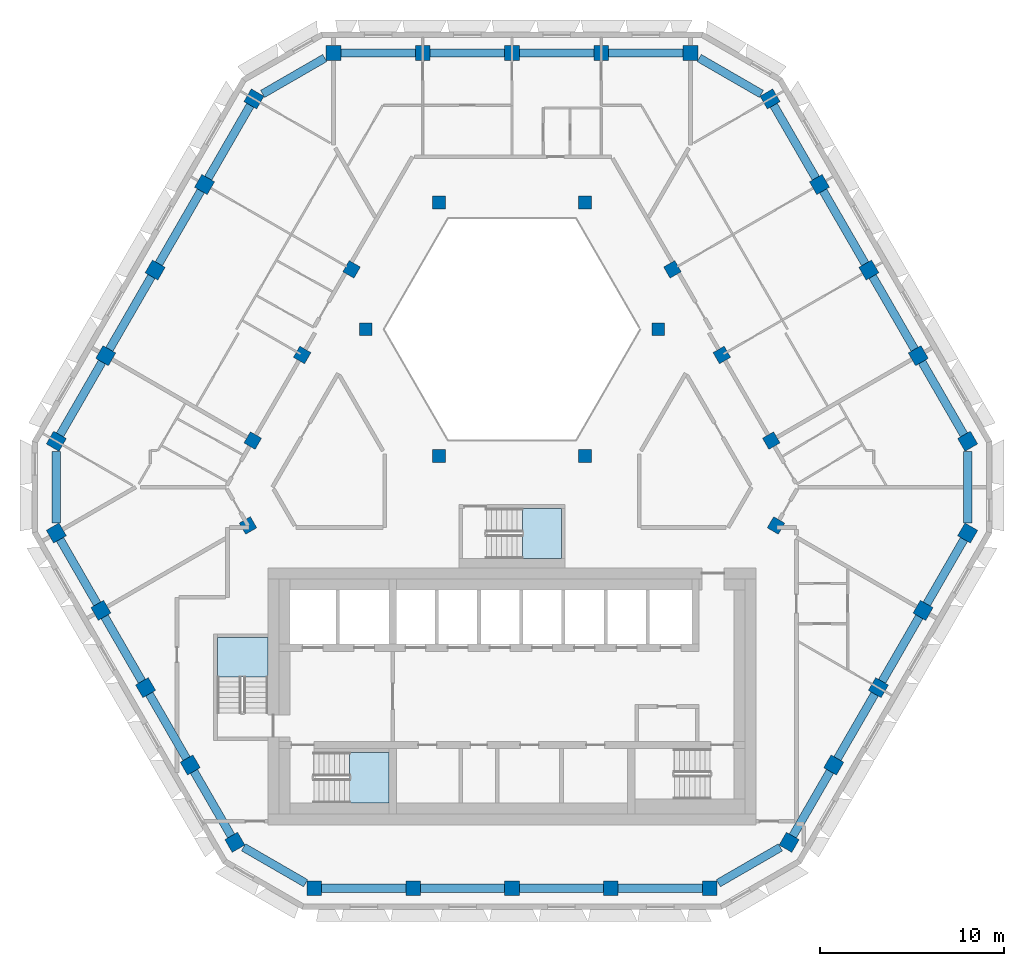
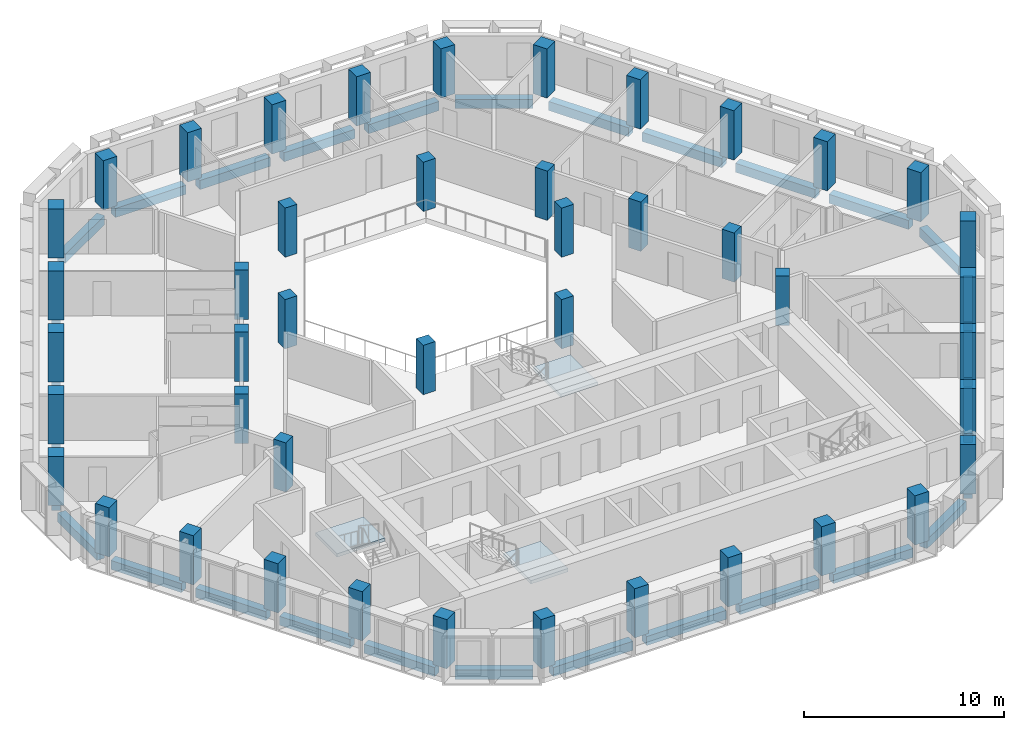
# One storey, part 1 of 15: 44 columns, 30 beams, 3 slabs, 3 elements without a shape of their own.
"""IFC4 building model written with IfcOpenShell, lengths in metres."""

import ifcopenshell
import ifcopenshell.guid

model = None  # the IFC model being written
_history = None  # IfcOwnerHistory: only IFC2X3 demands one
_inside = {}  # id of a spatial element -> (the spatial element, [elements in it])
_under = {}  # id of a project, library or spatial element -> (it, [spatial elements below it])
_declared = {}  # id of a project -> (the project, [libraries it declares])
_typed = {}  # id of a type object -> (the type object, [elements of that type])
_made_of = {}  # id of a material, layer set ... -> (it, [elements and type objects made of it])


def new_model(schema):
    """Start an empty IFC model of exactly this schema.

    Asked for "IFC4X3", IfcOpenShell would pick the latest addendum, in which some entities
    have other attributes; the version numbers below select the first issue.
    IFC2X3 requires an IfcOwnerHistory on every rooted entity: one is made here for all.
    """
    global model, _history
    if schema == "IFC4X3":
        model = ifcopenshell.file(schema_version=(4, 3, 0, 0))
    else:
        model = ifcopenshell.file(schema=schema)
    _inside.clear()
    _under.clear()
    _declared.clear()
    _typed.clear()
    _made_of.clear()
    _history = None
    if model.schema == "IFC2X3":
        org = make("IfcOrganization", Name="unknown")
        user = make(
            "IfcPersonAndOrganization",
            ThePerson=make("IfcPerson", FamilyName="unknown"),
            TheOrganization=org,
        )
        app = make(
            "IfcApplication",
            ApplicationDeveloper=org,
            Version="unknown",
            ApplicationFullName="unknown",
            ApplicationIdentifier="unknown",
        )
        _history = make(
            "IfcOwnerHistory",
            OwningUser=user,
            OwningApplication=app,
            ChangeAction="ADDED",
            CreationDate=0,
        )
    return model


def make(cls, **values):
    """One entity of the class cls with the attributes given. An attribute that is None is left unset."""
    return model.create_entity(
        cls, **{name: value for name, value in values.items() if value is not None}
    )


def rooted(cls, **values):
    """An entity with a GlobalId (a new one), such as an element, a storey or a relation."""
    return make(cls, GlobalId=ifcopenshell.guid.new(), OwnerHistory=_history, **values)


def si_unit(unit_type, name, prefix=None):
    """IfcSIUnit, for example si_unit("LENGTHUNIT", "METRE", prefix="MILLI")."""
    return make("IfcSIUnit", UnitType=unit_type, Prefix=prefix, Name=name)


def assignment(units):
    """IfcUnitAssignment: the units of a project."""
    return None if units is None else make("IfcUnitAssignment", Units=units)


def point(xyz):
    """IfcCartesianPoint."""
    return None if xyz is None else make("IfcCartesianPoint", Coordinates=xyz)


def direction(xyz):
    """IfcDirection."""
    return None if xyz is None else make("IfcDirection", DirectionRatios=xyz)


def frame(location, z_axis=None, x_axis=None):
    """IfcAxis2Placement3D, a coordinate frame: its origin and axes. An axis left out is left unset."""
    return make(
        "IfcAxis2Placement3D",
        Location=point(location),
        Axis=direction(z_axis),
        RefDirection=direction(x_axis),
    )


def frame_2d(location, x_axis=None):
    """IfcAxis2Placement2D, a coordinate frame in the plane: its origin and x axis."""
    return make(
        "IfcAxis2Placement2D", Location=point(location), RefDirection=direction(x_axis)
    )


def origin():
    """The frame at (0, 0, 0) with its axes left unset."""
    return frame((0.0, 0.0, 0.0))


def origin_2d():
    """The frame at (0, 0) in the plane with its x axis left unset."""
    return frame_2d((0.0, 0.0))


def place(relative_to, where):
    """IfcLocalPlacement: puts the frame where relative to a parent placement (None: the world)."""
    return make(
        "IfcLocalPlacement", PlacementRelTo=relative_to, RelativePlacement=where
    )


def context(
    kind, dimensions, precision=None, world=None, true_north=None, identifier=None
):
    """IfcGeometricRepresentationContext, for example the 3D "Model" context."""
    return make(
        "IfcGeometricRepresentationContext",
        ContextIdentifier=identifier,
        ContextType=kind,
        CoordinateSpaceDimension=dimensions,
        Precision=precision,
        WorldCoordinateSystem=world,
        TrueNorth=true_north,
    )


def subcontext(parent, identifier, kind, view, scale=None):
    """IfcGeometricRepresentationSubContext, for example "Body" below "Model"."""
    return make(
        "IfcGeometricRepresentationSubContext",
        ContextIdentifier=identifier,
        ContextType=kind,
        ParentContext=parent,
        TargetScale=scale,
        TargetView=view,
    )


def project(units=None, contexts=None):
    """IfcProject with its units and contexts."""
    return rooted(
        "IfcProject",
        Name="project",
        RepresentationContexts=contexts,
        UnitsInContext=assignment(units),
    )


def spatial(cls, under=None, at=None, **own):
    """A site, building, storey or space (cls), placed at a placement, below another one or the project."""
    s = rooted(cls, ObjectPlacement=at, **own)
    if under is not None:
        _under.setdefault(under.id(), (under, []))[1].append(s)
    return s


def polyline(points):
    """IfcPolyline through the points."""
    return make("IfcPolyline", Points=[point(p) for p in points])


def profile(cls, at=None, kind="AREA", **sizes):
    """A parametric profile (cls). Its sizes go by their IFC names, for example OverallWidth=200.0."""
    return make(cls, ProfileType=kind, Position=at, **sizes)


def rectangle(**sizes):
    """IfcRectangleProfileDef."""
    return profile("IfcRectangleProfileDef", **sizes)


def outline(outer, holes=None, kind="AREA"):
    """IfcArbitraryClosedProfileDef: a profile drawn as a closed curve; with holes, ...WithVoids."""
    if holes is None:
        return make("IfcArbitraryClosedProfileDef", ProfileType=kind, OuterCurve=outer)
    return make(
        "IfcArbitraryProfileDefWithVoids",
        ProfileType=kind,
        OuterCurve=outer,
        InnerCurves=holes,
    )


def extrude(swept, where, along, depth):
    """IfcExtrudedAreaSolid: the profile swept, set in the frame where, extruded along a direction by depth."""
    return make(
        "IfcExtrudedAreaSolid",
        SweptArea=swept,
        Position=where,
        ExtrudedDirection=direction(along),
        Depth=depth,
    )


def shape(context_of_items, identifier, shape_type, items):
    """IfcShapeRepresentation: the items that make up one representation, for example the "Body"."""
    return make(
        "IfcShapeRepresentation",
        ContextOfItems=context_of_items,
        RepresentationIdentifier=identifier,
        RepresentationType=shape_type,
        Items=items,
    )


def material(Name=None, Category=None):
    """IfcMaterial."""
    return make("IfcMaterial", Name=Name, Category=Category)


def layer(
    of_material, thickness, ventilated=None, Name=None, Category=None, Priority=None
):
    """IfcMaterialLayer: one layer of a wall or slab, of a material (None: an air gap)."""
    return make(
        "IfcMaterialLayer",
        Material=of_material,
        LayerThickness=thickness,
        IsVentilated=ventilated,
        Name=Name,
        Category=Category,
        Priority=Priority,
    )


def layer_set(layers, Name=None):
    """IfcMaterialLayerSet."""
    return make("IfcMaterialLayerSet", MaterialLayers=layers, LayerSetName=Name)


def material_profile(
    of_material, cross_section, Name=None, Category=None, Priority=None
):
    """IfcMaterialProfile: a cross section and its material."""
    return make(
        "IfcMaterialProfile",
        Name=Name,
        Material=of_material,
        Profile=cross_section,
        Priority=Priority,
        Category=Category,
    )


def profile_set(profiles, Name=None, composite=None):
    """IfcMaterialProfileSet."""
    return make(
        "IfcMaterialProfileSet",
        Name=Name,
        MaterialProfiles=profiles,
        CompositeProfile=composite,
    )


def made_of(thing, what):
    """Note that an element or type object is made of a material, layer set ...; save() writes the relation."""
    if what is not None:
        _made_of.setdefault(what.id(), (what, []))[1].append(thing)
    return thing


def type_object(cls, material=None, **own):
    """A type object (cls), such as IfcWallType, which elements share."""
    return made_of(rooted(cls, **own), material)


def element(
    cls,
    number,
    at=None,
    inside=None,
    cuts=None,
    type_object=None,
    material=None,
    context=None,
    identifier="Body",
    shape_type=None,
    held_by="IfcProductDefinitionShape",
    body=None,
    shapes=None,
    **own,
):
    """One element of the class cls, such as IfcWall. Its Tag is "e" and its number.

    at: its placement. inside: the storey or other place that contains it. cuts: it is an
    opening in that element (IfcRelVoidsElement). A single representation is given by context,
    identifier, shape_type and body (its items); several are given by shapes. held_by: the class
    of the entity that holds the representations. save() writes the other relations.
    """
    e = rooted(cls, Tag="e%d" % number, ObjectPlacement=at, **own)
    if body is not None:
        shapes = [shape(context, identifier, shape_type, body)]
    if shapes is not None:
        e.Representation = make(held_by, Representations=shapes)
    if inside is not None:
        _inside.setdefault(inside.id(), (inside, []))[1].append(e)
    if cuts is not None:
        rooted(
            "IfcRelVoidsElement", RelatingBuildingElement=cuts, RelatedOpeningElement=e
        )
    if type_object is not None:
        _typed.setdefault(type_object.id(), (type_object, []))[1].append(e)
    return made_of(e, material)


def aggregate(whole, parts):
    """IfcRelAggregates: a whole, such as a stair, and the parts it consists of."""
    return rooted("IfcRelAggregates", RelatingObject=whole, RelatedObjects=parts)


def save(model, path):
    """Write the relations noted so far, then the file.

    IfcRelAggregates (storeys below a building ...), IfcRelContainedInSpatialStructure (elements
    in a storey), IfcRelDefinesByType, IfcRelAssociatesMaterial and IfcRelDeclares: one each for
    every whole, place, type object, material and project.
    """
    for whole, parts in _under.values():
        aggregate(whole, parts)
    for where, things in _inside.values():
        rooted(
            "IfcRelContainedInSpatialStructure",
            RelatedElements=things,
            RelatingStructure=where,
        )
    for kind, things in _typed.values():
        rooted("IfcRelDefinesByType", RelatedObjects=things, RelatingType=kind)
    for what, things in _made_of.values():
        rooted("IfcRelAssociatesMaterial", RelatedObjects=things, RelatingMaterial=what)
    for by, libraries in _declared.values():
        rooted("IfcRelDeclares", RelatingContext=by, RelatedDefinitions=libraries)
    model.write(path)


model = new_model("IFC4")

# Units and contexts
model_context = context("Model", 3, precision=1e-05, world=origin(), true_north=direction((0.0, 1.0)))
body_context = subcontext(model_context, "Body", "Model", "MODEL_VIEW")
ifc_project = project(units=[si_unit("LENGTHUNIT", "METRE"), si_unit("AREAUNIT", "SQUARE_METRE"), si_unit("VOLUMEUNIT", "CUBIC_METRE"), si_unit("PLANEANGLEUNIT", "RADIAN"), si_unit("MASSUNIT", "GRAM", prefix="KILO")], contexts=[model_context])

# Site, building, storey
site_placement = place(None, origin())
site = spatial("IfcSite", under=ifc_project, at=site_placement, CompositionType="ELEMENT")
building_placement = place(site_placement, origin())
building = spatial("IfcBuilding", under=site, at=building_placement, Name="Beryl Residences", CompositionType="ELEMENT")
storey_placement = place(building_placement, frame((0.0, 0.0, 193.199951171875)))
storey = spatial("IfcBuildingStorey", under=building, at=storey_placement, Name="L59", CompositionType="ELEMENT", Elevation=193.199951171875)

# Columns
ifc_material_1 = material(Name="Concrete C50/60", Category="concrete")
ifc_material_profile_1 = material_profile(ifc_material_1, rectangle(XDim=0.800048828125, YDim=0.800048828125, at=origin_2d()))
ifc_profile_set_1 = profile_set([ifc_material_profile_1], Name="Concrete C50/60")
column_type_1 = type_object("IfcColumnType", Name="C4 tube column 800 x 800 C50/60", PredefinedType="COLUMN", material=ifc_profile_set_1)
for number, where, z_axis, x_axis, name in (
    (1, (9.72802734375, 23.050048828125, 0.0), (0.0, 0.0, 1.0), (-1.0, 0.0, 0.0), "C4-N1 L59"),
    (2, (4.864013671875, 23.050048828125, 0.0), (0.0, 0.0, 1.0), (-1.0, 0.0, 0.0), "C4-N2 L59"),
    (3, (0.0, 23.050048828125, 0.0), (0.0, 0.0, 1.0), (-1.0, 0.0, 0.0), "C4-N3 L59"),
    (4, (-4.864013671875, 23.050048828125, 0.0), (0.0, 0.0, 1.0), (-1.0, 0.0, 0.0), "C4-N4 L59"),
    (5, (-9.72802734375, 23.050048828125, 0.0), (0.0, 0.0, 1.0), (-1.0, 0.0, 0.0), "C4-N5 L59"),
    (6, (-14.05810546875, 20.550048828125, 0.0), (0.0, 0.0, 1.0), (-0.5, -0.866025403784, 0.0), "C4-NW1 L59"),
    (7, (-16.75, 15.887939453125, 0.0), (0.0, 0.0, 1.0), (-0.5, -0.866025403784, 0.0), "C4-NW2 L59"),
    (8, (-19.44189453125, 11.22509765625, 0.0), (0.0, 0.0, 1.0), (-0.5, -0.866025403784, 0.0), "C4-NW3 L59"),
    (9, (-22.134033203125, 6.56201171875, 0.0), (0.0, 0.0, 1.0), (-0.5, -0.866025403784, 0.0), "C4-NW4 L59"),
    (10, (-24.825927734375, 1.89990234375, 0.0), (0.0, 0.0, 1.0), (-0.5, -0.866025403784, 0.0), "C4-NW5 L59"),
    (11, (-24.825927734375, -3.09912109375, 0.0), (0.0, 0.0, 1.0), (0.5, -0.866025403784, 0.0), "C4-SW1 L59"),
    (12, (-22.39404296875, -7.31201171875, 0.0), (0.0, 0.0, 1.0), (0.5, -0.866025403784, 0.0), "C4-SW2 L59"),
    (13, (-19.9619140625, -11.52392578125, 0.0), (0.0, 0.0, 1.0), (0.5, -0.866025403784, 0.0), "C4-SW3 L59"),
    (14, (-17.530029296875, -15.736083984375, 0.0), (0.0, 0.0, 1.0), (0.5, -0.866025403784, 0.0), "C4-SW4 L59"),
    (15, (-15.097900390625, -19.948974609375, 0.0), (0.0, 0.0, 1.0), (0.5, -0.866025403784, 0.0), "C4-SW5 L59"),
    (16, (-10.76708984375, -22.449951171875, 0.0), (0.0, 0.0, 1.0), (1.0, 0.0, 0.0), "C4-S1 L59"),
    (17, (-5.383056640625, -22.449951171875, 0.0), (0.0, 0.0, 1.0), (1.0, 0.0, 0.0), "C4-S2 L59"),
    (18, (0.0009765625, -22.449951171875, 0.0), (0.0, 0.0, 1.0), (1.0, 0.0, 0.0), "C4-S3 L59"),
    (19, (5.385009765625, -22.449951171875, 0.0), (0.0, 0.0, 1.0), (1.0, 0.0, 0.0), "C4-S4 L59"),
    (20, (10.76904296875, -22.449951171875, 0.0), (0.0, 0.0, 1.0), (1.0, 0.0, 0.0), "C4-S5 L59"),
    (21, (15.096923828125, -19.950927734375, 0.0), (0.0, 0.0, 1.0), (0.5, 0.866025403784, 0.0), "C4-SE1 L59"),
    (22, (17.529052734375, -15.738037109375, 0.0), (0.0, 0.0, 1.0), (0.5, 0.866025403784, 0.0), "C4-SE2 L59"),
    (23, (19.9609375, -11.52587890625, 0.0), (0.0, 0.0, 1.0), (0.5, 0.866025403784, 0.0), "C4-SE3 L59"),
    (24, (22.39306640625, -7.31396484375, 0.0), (0.0, 0.0, 1.0), (0.5, 0.866025403784, 0.0), "C4-SE4 L59"),
    (25, (24.824951171875, -3.10107421875, 0.0), (0.0, 0.0, 1.0), (0.5, 0.866025403784, 0.0), "C4-SE5 L59"),
    (26, (24.825927734375, 1.89990234375, 0.0), (0.0, 0.0, 1.0), (-0.5, 0.866025403784, 0.0), "C4-NE1 L59"),
    (27, (22.134033203125, 6.56201171875, 0.0), (0.0, 0.0, 1.0), (-0.5, 0.866025403784, 0.0), "C4-NE2 L59"),
    (28, (19.44189453125, 11.22509765625, 0.0), (0.0, 0.0, 1.0), (-0.5, 0.866025403784, 0.0), "C4-NE3 L59"),
    (29, (16.75, 15.887939453125, 0.0), (0.0, 0.0, 1.0), (-0.5, 0.866025403784, 0.0), "C4-NE4 L59"),
    (30, (14.05810546875, 20.550048828125, 0.0), (0.0, 0.0, 1.0), (-0.5, 0.866025403784, 0.0), "C4-NE5 L59"),
):
    element("IfcColumn", number, at=place(storey_placement, frame(where, z_axis=z_axis, x_axis=x_axis)), inside=storey, type_object=column_type_1, Name=name, PredefinedType="COLUMN", context=body_context, shape_type="SweptSolid", body=[
        extrude(rectangle(XDim=0.800048828125, YDim=0.800048828125, at=origin_2d()), origin(), (0.0, 0.0, 1.0), 3.0),
    ])
ifc_material_2 = material(Name="Concrete C50/60", Category="concrete")
ifc_material_profile_2 = material_profile(ifc_material_2, rectangle(XDim=0.699951171875, YDim=0.699951171875, at=origin_2d()))
ifc_profile_set_2 = profile_set([ifc_material_profile_2], Name="Concrete C50/60")
column_type_2 = type_object("IfcColumnType", Name="IC4 interior column 700 x 700 C50/60", PredefinedType="COLUMN", material=ifc_profile_set_2)
for number, where, z_axis, x_axis, name in (
    (31, (-14.383056640625, -2.68701171875, 0.0), (0.0, 0.0, 1.0), (0.5, -0.866025403784, 0.0), "IC4-M01 L59"),
    (32, (14.382080078125, -2.68896484375, 0.0), (0.0, 0.0, 1.0), (0.5, 0.866025403784, 0.0), "IC4-M02 L59"),
    (33, (14.123046875, 1.93701171875, 0.0), (0.0, 0.0, 1.0), (-0.5, 0.866025403784, 0.0), "IC4-M03 L59"),
    (34, (3.98388671875, 1.10009765625, 0.0), (0.0, 0.0, 1.0), (1.0, 0.0, 0.0), "IC4-A04 L59"),
    (35, (11.430908203125, 6.60009765625, 0.0), (0.0, 0.0, 1.0), (-0.5, 0.866025403784, 0.0), "IC4-M05 L59"),
    (36, (7.967041015625, 8.0, 0.0), (0.0, 0.0, 1.0), (1.0, 0.0, 0.0), "IC4-A06 L59"),
    (37, (8.739013671875, 11.262939453125, 0.0), (0.0, 0.0, 1.0), (-0.5, 0.866025403784, 0.0), "IC4-M07 L59"),
    (38, (3.98388671875, 14.89990234375, 0.0), (0.0, 0.0, 1.0), (1.0, 0.0, 0.0), "IC4-A08 L59"),
    (39, (-3.98388671875, 14.89990234375, 0.0), (0.0, 0.0, 1.0), (1.0, 0.0, 0.0), "IC4-A09 L59"),
    (40, (-8.739013671875, 11.262939453125, 0.0), (0.0, 0.0, 1.0), (-0.5, -0.866025403784, 0.0), "IC4-M10 L59"),
    (41, (-7.967041015625, 8.0, 0.0), (0.0, 0.0, 1.0), (1.0, 0.0, 0.0), "IC4-A11 L59"),
    (42, (-11.430908203125, 6.60009765625, 0.0), (0.0, 0.0, 1.0), (-0.5, -0.866025403784, 0.0), "IC4-M12 L59"),
    (43, (-3.98388671875, 1.10009765625, 0.0), (0.0, 0.0, 1.0), (1.0, 0.0, 0.0), "IC4-A13 L59"),
    (44, (-14.123046875, 1.93701171875, 0.0), (0.0, 0.0, 1.0), (-0.5, -0.866025403784, 0.0), "IC4-M14 L59"),
):
    element("IfcColumn", number, at=place(storey_placement, frame(where, z_axis=z_axis, x_axis=x_axis)), inside=storey, type_object=column_type_2, Name=name, PredefinedType="COLUMN", context=body_context, shape_type="SweptSolid", body=[
        extrude(rectangle(XDim=0.699951171875, YDim=0.699951171875, at=origin_2d()), origin(), (0.0, 0.0, 1.0), 3.0),
    ])

# Beams
ifc_material_3 = material(Name="Concrete C50/60", Category="concrete")
ifc_material_profile_3 = material_profile(ifc_material_3, rectangle(XDim=0.449951171875, YDim=0.550048828125, at=origin_2d()))
ifc_profile_set_3 = profile_set([ifc_material_profile_3], Name="Concrete C50/60")
beam_type = type_object("IfcBeamType", Name="SB4 spandrel beam 450 x 550 C50/60", PredefinedType="SPANDREL", material=ifc_profile_set_3)
beam_1_placement = place(storey_placement, frame((9.327880859375, 23.050048828125, -0.574951171875), z_axis=(-1.0, 0.0, 0.0), x_axis=(0.0, -1.0, 0.0)))
element("IfcBeam", 45, at=beam_1_placement, inside=storey, type_object=beam_type, Name="SB4 L59 N-0", PredefinedType="SPANDREL", context=body_context, shape_type="SweptSolid", body=[
    extrude(rectangle(XDim=0.449951171875, YDim=0.550048828125, at=origin_2d()), origin(), (0.0, 0.0, 1.0), 4.06396484375),
])
for number, where, z_axis, x_axis, name in (
    (46, (4.464111328125, 23.050048828125, -0.574951171875), (-1.0, 0.0, 0.0), (0.0, -1.0, 0.0), "SB4 L59 N-1"),
    (47, (-0.39990234375, 23.050048828125, -0.574951171875), (-1.0, 0.0, 0.0), (0.0, -1.0, 0.0), "SB4 L59 N-2"),
):
    element("IfcBeam", number, at=place(storey_placement, frame(where, z_axis=z_axis, x_axis=x_axis)), inside=storey, type_object=beam_type, Name=name, PredefinedType="SPANDREL", context=body_context, shape_type="SweptSolid", body=[
        extrude(rectangle(XDim=0.449951171875, YDim=0.550048828125, at=origin_2d()), origin(), (0.0, 0.0, 1.0), 4.064208984375),
    ])
beam_2_placement = place(storey_placement, frame((-5.263916015625, 23.050048828125, -0.574951171875), z_axis=(-1.0, 0.0, 0.0), x_axis=(0.0, -1.0, 0.0)))
element("IfcBeam", 48, at=beam_2_placement, inside=storey, type_object=beam_type, Name="SB4 L59 N-3", PredefinedType="SPANDREL", context=body_context, shape_type="SweptSolid", body=[
    extrude(rectangle(XDim=0.449951171875, YDim=0.550048828125, at=origin_2d()), origin(), (0.0, 0.0, 1.0), 4.06396484375),
])
beam_3_placement = place(storey_placement, frame((-10.200927734375, 22.777099609375, -0.574951171875), z_axis=(-0.865988935984, -0.500063158763, 0.0), x_axis=(0.500063158763, -0.865988935984, 0.0)))
element("IfcBeam", 49, at=beam_3_placement, inside=storey, type_object=beam_type, Name="SB4 L59 N-4", PredefinedType="SPANDREL", context=body_context, shape_type="SweptSolid", body=[
    extrude(rectangle(XDim=0.449951171875, YDim=0.550048828125, at=origin_2d()), origin(), (0.0, 0.0, 1.0), 3.90771484375),
])
beam_4_placement = place(storey_placement, frame((-14.258056640625, 20.2041015625, -0.574951171875), z_axis=(-0.499965247104, -0.866045467449, 0.0), x_axis=(0.866045467449, -0.499965247104, 0.0)))
element("IfcBeam", 50, at=beam_4_placement, inside=storey, type_object=beam_type, Name="SB4 L59 NW-0", PredefinedType="SPANDREL", context=body_context, shape_type="SweptSolid", body=[
    extrude(rectangle(XDim=0.449951171875, YDim=0.550048828125, at=origin_2d()), origin(), (0.0, 0.0, 1.0), 4.584228515625),
])
for number, where, z_axis, x_axis, name in (
    (51, (-16.949951171875, 15.5419921875, -0.574951171875), (-0.499896077001, -0.866085395443, 0.0), (0.866085395443, -0.499896077001, 0.0), "SB4 L59 NW-1"),
    (52, (-19.64208984375, 10.87890625, -0.574951171875), (-0.499896077001, -0.866085395443, 0.0), (0.866085395443, -0.499896077001, 0.0), "SB4 L59 NW-2"),
):
    element("IfcBeam", number, at=place(storey_placement, frame(where, z_axis=z_axis, x_axis=x_axis)), inside=storey, type_object=beam_type, Name=name, PredefinedType="SPANDREL", context=body_context, shape_type="SweptSolid", body=[
        extrude(rectangle(XDim=0.449951171875, YDim=0.550048828125, at=origin_2d()), origin(), (0.0, 0.0, 1.0), 4.5849609375),
    ])
beam_5_placement = place(storey_placement, frame((-22.333984375, 6.216064453125, -0.574951171875), z_axis=(-0.49998830735, -0.866032154434, 0.0), x_axis=(0.866032154434, -0.49998830735, 0.0)))
element("IfcBeam", 53, at=beam_5_placement, inside=storey, type_object=beam_type, Name="SB4 L59 NW-3", PredefinedType="SPANDREL", context=body_context, shape_type="SweptSolid", body=[
    extrude(rectangle(XDim=0.449951171875, YDim=0.550048828125, at=origin_2d()), origin(), (0.0, 0.0, 1.0), 4.583984375),
])
beam_6_placement = place(storey_placement, frame((-24.825927734375, 1.35400390625, -0.574951171875), z_axis=(0.0, -1.0, 0.0), x_axis=(1.0, 0.0, 0.0)))
element("IfcBeam", 54, at=beam_6_placement, inside=storey, type_object=beam_type, Name="SB4 L59 NW-4", PredefinedType="SPANDREL", context=body_context, shape_type="SweptSolid", body=[
    extrude(rectangle(XDim=0.449951171875, YDim=0.550048828125, at=origin_2d()), origin(), (0.0, 0.0, 1.0), 3.906982421875),
])
beam_7_placement = place(storey_placement, frame((-24.6259765625, -3.445068359375, -0.574951171875), z_axis=(0.499840293234, -0.866117590896, 0.0), x_axis=(0.866117590896, 0.499840293234, 0.0)))
element("IfcBeam", 55, at=beam_7_placement, inside=storey, type_object=beam_type, Name="SB4 L59 SW-0", PredefinedType="SPANDREL", context=body_context, shape_type="SweptSolid", body=[
    extrude(rectangle(XDim=0.449951171875, YDim=0.550048828125, at=origin_2d()), origin(), (0.0, 0.0, 1.0), 4.065185546875),
])
beam_8_placement = place(storey_placement, frame((-22.194091796875, -7.657958984375, -0.574951171875), z_axis=(0.499944307952, -0.866057555216, 0.0), x_axis=(0.866057555216, 0.499944307952, 0.0)))
element("IfcBeam", 56, at=beam_8_placement, inside=storey, type_object=beam_type, Name="SB4 L59 SW-1", PredefinedType="SPANDREL", context=body_context, shape_type="SweptSolid", body=[
    extrude(rectangle(XDim=0.449951171875, YDim=0.550048828125, at=origin_2d()), origin(), (0.0, 0.0, 1.0), 4.064453125),
])
beam_9_placement = place(storey_placement, frame((-19.761962890625, -11.8701171875, -0.574951171875), z_axis=(0.499970317269, -0.866042540439, 0.0), x_axis=(0.866042540439, 0.499970317269, 0.0)))
element("IfcBeam", 57, at=beam_9_placement, inside=storey, type_object=beam_type, Name="SB4 L59 SW-2", PredefinedType="SPANDREL", context=body_context, shape_type="SweptSolid", body=[
    extrude(rectangle(XDim=0.449951171875, YDim=0.550048828125, at=origin_2d()), origin(), (0.0, 0.0, 1.0), 4.064208984375),
])
beam_10_placement = place(storey_placement, frame((-17.330078125, -16.08203125, -0.574951171875), z_axis=(0.499840293234, -0.866117590896, 0.0), x_axis=(0.866117590896, 0.499840293234, 0.0)))
element("IfcBeam", 58, at=beam_10_placement, inside=storey, type_object=beam_type, Name="SB4 L59 SW-3", PredefinedType="SPANDREL", context=body_context, shape_type="SweptSolid", body=[
    extrude(rectangle(XDim=0.449951171875, YDim=0.550048828125, at=origin_2d()), origin(), (0.0, 0.0, 1.0), 4.065185546875),
])
beam_11_placement = place(storey_placement, frame((-14.625, -20.221923828125, -0.574951171875), z_axis=(0.865943218558, -0.500142321977, 0.0), x_axis=(0.500142321977, 0.865943218558, 0.0)))
element("IfcBeam", 59, at=beam_11_placement, inside=storey, type_object=beam_type, Name="SB4 L59 SW-4", PredefinedType="SPANDREL", context=body_context, shape_type="SweptSolid", body=[
    extrude(rectangle(XDim=0.449951171875, YDim=0.550048828125, at=origin_2d()), origin(), (0.0, 0.0, 1.0), 3.908935546875),
])
for number, where, z_axis, x_axis, name in (
    (60, (-10.366943359375, -22.449951171875, -0.574951171875), (1.0, 0.0, 0.0), (0.0, 1.0, 0.0), "SB4 L59 S-0"),
    (61, (-4.98291015625, -22.449951171875, -0.574951171875), (1.0, 0.0, 0.0), (0.0, 1.0, 0.0), "SB4 L59 S-1"),
):
    element("IfcBeam", number, at=place(storey_placement, frame(where, z_axis=z_axis, x_axis=x_axis)), inside=storey, type_object=beam_type, Name=name, PredefinedType="SPANDREL", context=body_context, shape_type="SweptSolid", body=[
        extrude(rectangle(XDim=0.449951171875, YDim=0.550048828125, at=origin_2d()), origin(), (0.0, 0.0, 1.0), 4.583984375),
    ])
beam_12_placement = place(storey_placement, frame((0.40087890625, -22.449951171875, -0.574951171875), z_axis=(1.0, 0.0, 0.0), x_axis=(0.0, 1.0, 0.0)))
element("IfcBeam", 62, at=beam_12_placement, inside=storey, type_object=beam_type, Name="SB4 L59 S-2", PredefinedType="SPANDREL", context=body_context, shape_type="SweptSolid", body=[
    extrude(rectangle(XDim=0.449951171875, YDim=0.550048828125, at=origin_2d()), origin(), (0.0, 0.0, 1.0), 4.584228515625),
])
beam_13_placement = place(storey_placement, frame((5.784912109375, -22.449951171875, -0.574951171875), z_axis=(1.0, 0.0, 0.0), x_axis=(0.0, 1.0, 0.0)))
element("IfcBeam", 63, at=beam_13_placement, inside=storey, type_object=beam_type, Name="SB4 L59 S-3", PredefinedType="SPANDREL", context=body_context, shape_type="SweptSolid", body=[
    extrude(rectangle(XDim=0.449951171875, YDim=0.550048828125, at=origin_2d()), origin(), (0.0, 0.0, 1.0), 4.583984375),
])
beam_14_placement = place(storey_placement, frame((11.241943359375, -22.177001953125, -0.574951171875), z_axis=(0.865999234303, 0.500045324131, 0.0), x_axis=(-0.500045324131, 0.865999234303, 0.0)))
element("IfcBeam", 64, at=beam_14_placement, inside=storey, type_object=beam_type, Name="SB4 L59 S-4", PredefinedType="SPANDREL", context=body_context, shape_type="SweptSolid", body=[
    extrude(rectangle(XDim=0.449951171875, YDim=0.550048828125, at=origin_2d()), origin(), (0.0, 0.0, 1.0), 3.905517578125),
])
beam_15_placement = place(storey_placement, frame((15.297119140625, -19.60498046875, -0.574951171875), z_axis=(0.499840293234, 0.866117590896, 0.0), x_axis=(-0.866117590896, 0.499840293234, 0.0)))
element("IfcBeam", 65, at=beam_15_placement, inside=storey, type_object=beam_type, Name="SB4 L59 SE-0", PredefinedType="SPANDREL", context=body_context, shape_type="SweptSolid", body=[
    extrude(rectangle(XDim=0.449951171875, YDim=0.550048828125, at=origin_2d()), origin(), (0.0, 0.0, 1.0), 4.065185546875),
])
for number, where, z_axis, x_axis, name in (
    (66, (17.72900390625, -15.39208984375, -0.574951171875), (0.499944307952, 0.866057555216, 0.0), (-0.866057555216, 0.499944307952, 0.0), "SB4 L59 SE-1"),
    (67, (20.160888671875, -11.179931640625, -0.574951171875), (0.499989360119, 0.866031546636, 0.0), (-0.866031546636, 0.499989360119, 0.0), "SB4 L59 SE-2"),
):
    element("IfcBeam", number, at=place(storey_placement, frame(where, z_axis=z_axis, x_axis=x_axis)), inside=storey, type_object=beam_type, Name=name, PredefinedType="SPANDREL", context=body_context, shape_type="SweptSolid", body=[
        extrude(rectangle(XDim=0.449951171875, YDim=0.550048828125, at=origin_2d()), origin(), (0.0, 0.0, 1.0), 4.064453125),
    ])
beam_16_placement = place(storey_placement, frame((22.593017578125, -6.968017578125, -0.574951171875), z_axis=(0.499840293234, 0.866117590896, 0.0), x_axis=(-0.866117590896, 0.499840293234, 0.0)))
element("IfcBeam", 68, at=beam_16_placement, inside=storey, type_object=beam_type, Name="SB4 L59 SE-3", PredefinedType="SPANDREL", context=body_context, shape_type="SweptSolid", body=[
    extrude(rectangle(XDim=0.449951171875, YDim=0.550048828125, at=origin_2d()), origin(), (0.0, 0.0, 1.0), 4.065185546875),
])
beam_17_placement = place(storey_placement, frame((24.824951171875, -2.554931640625, -0.574951171875), z_axis=(0.000249828235, 0.999999968793, 0.0), x_axis=(-0.999999968793, 0.000249828235, 0.0)))
element("IfcBeam", 69, at=beam_17_placement, inside=storey, type_object=beam_type, Name="SB4 L59 SE-4", PredefinedType="SPANDREL", context=body_context, shape_type="SweptSolid", body=[
    extrude(rectangle(XDim=0.449951171875, YDim=0.550048828125, at=origin_2d()), origin(), (0.0, 0.0, 1.0), 3.908935546875),
])
beam_18_placement = place(storey_placement, frame((24.6259765625, 2.24609375, -0.574951171875), z_axis=(-0.49998830735, 0.866032154434, 0.0), x_axis=(-0.866032154434, -0.49998830735, 0.0)))
element("IfcBeam", 70, at=beam_18_placement, inside=storey, type_object=beam_type, Name="SB4 L59 NE-0", PredefinedType="SPANDREL", context=body_context, shape_type="SweptSolid", body=[
    extrude(rectangle(XDim=0.449951171875, YDim=0.550048828125, at=origin_2d()), origin(), (0.0, 0.0, 1.0), 4.583984375),
])
for number, where, z_axis, x_axis, name in (
    (71, (21.93408203125, 6.907958984375, -0.574951171875), (-0.499896077001, 0.866085395443, 0.0), (-0.866085395443, -0.499896077001, 0.0), "SB4 L59 NE-1"),
    (72, (19.241943359375, 11.571044921875, -0.574951171875), (-0.499896077001, 0.866085395443, 0.0), (-0.866085395443, -0.499896077001, 0.0), "SB4 L59 NE-2"),
):
    element("IfcBeam", number, at=place(storey_placement, frame(where, z_axis=z_axis, x_axis=x_axis)), inside=storey, type_object=beam_type, Name=name, PredefinedType="SPANDREL", context=body_context, shape_type="SweptSolid", body=[
        extrude(rectangle(XDim=0.449951171875, YDim=0.550048828125, at=origin_2d()), origin(), (0.0, 0.0, 1.0), 4.5849609375),
    ])
beam_19_placement = place(storey_placement, frame((16.550048828125, 16.23388671875, -0.574951171875), z_axis=(-0.499965247104, 0.866045467449, 0.0), x_axis=(-0.866045467449, -0.499965247104, 0.0)))
element("IfcBeam", 73, at=beam_19_placement, inside=storey, type_object=beam_type, Name="SB4 L59 NE-3", PredefinedType="SPANDREL", context=body_context, shape_type="SweptSolid", body=[
    extrude(rectangle(XDim=0.449951171875, YDim=0.550048828125, at=origin_2d()), origin(), (0.0, 0.0, 1.0), 4.584228515625),
])
beam_20_placement = place(storey_placement, frame((13.5849609375, 20.822998046875, -0.574951171875), z_axis=(-0.865988935984, 0.500063158763, 0.0), x_axis=(-0.500063158763, -0.865988935984, 0.0)))
element("IfcBeam", 74, at=beam_20_placement, inside=storey, type_object=beam_type, Name="SB4 L59 NE-4", PredefinedType="SPANDREL", context=body_context, shape_type="SweptSolid", body=[
    extrude(rectangle(XDim=0.449951171875, YDim=0.550048828125, at=origin_2d()), origin(), (0.0, 0.0, 1.0), 3.90771484375),
])

# Stair, slab
ifc_material_4 = material(Name="Concrete C40/50", Category="concrete")
stair_type = type_object("IfcStairType", Name="ST1 protected exit stair, half-turn, 1300 mm flights", PredefinedType="HALF_TURN_STAIR", material=ifc_material_4)
stair_1_placement = place(storey_placement, origin())
stair_1 = element("IfcStair", 75, at=stair_1_placement, inside=storey, type_object=stair_type, Name="L59 PROTECTED EXIT STAIR ST-1", PredefinedType="HALF_TURN_STAIR")
ifc_material_5 = material(Name="Concrete C40/50", Category="concrete")
ifc_layer = layer(ifc_material_5, 0.199951171875)
ifc_layer_set = layer_set([ifc_layer], Name="SLD1 stair landing 200 mm")
slab_type = type_object("IfcSlabType", Name="SLD1 stair landing 200 mm", PredefinedType="LANDING", material=ifc_layer_set)
slab_1_placement = place(storey_placement, frame((0.0, 0.0, 1.300048828125)))
slab_1 = element("IfcSlab", 76, at=slab_1_placement, type_object=slab_type, Name="ST-1 landing 1", PredefinedType="LANDING", context=body_context, shape_type="SweptSolid", body=[
    extrude(outline(polyline([(-8.840087890625, -17.800048828125), (-6.699951171875, -17.800048828125), (-6.699951171875, -15.050048828125), (-8.840087890625, -15.050048828125), (-8.840087890625, -17.800048828125)])), origin(), (0.0, 0.0, 1.0), 0.199951171875),
])
aggregate(stair_1, [slab_1])

stair_2_placement = place(storey_placement, origin())
stair_2 = element("IfcStair", 77, at=stair_2_placement, inside=storey, type_object=stair_type, Name="L59 PROTECTED EXIT STAIR ST-2", PredefinedType="HALF_TURN_STAIR")
slab_2_placement = place(storey_placement, frame((0.0, 0.0, 1.300048828125)))
slab_2 = element("IfcSlab", 78, at=slab_2_placement, type_object=slab_type, Name="ST-2 landing 1", PredefinedType="LANDING", context=body_context, shape_type="SweptSolid", body=[
    extrude(outline(polyline([(-13.300048828125, -10.93994140625), (-13.300048828125, -8.800048828125), (-16.050048828125, -8.800048828125), (-16.050048828125, -10.93994140625), (-13.300048828125, -10.93994140625)])), origin(), (0.0, 0.0, 1.0), 0.199951171875),
])
aggregate(stair_2, [slab_2])

stair_3_placement = place(storey_placement, origin())
stair_3 = element("IfcStair", 79, at=stair_3_placement, inside=storey, type_object=stair_type, Name="L59 PROTECTED EXIT STAIR ST-4", PredefinedType="HALF_TURN_STAIR")
slab_3_placement = place(storey_placement, frame((0.0, 0.0, 1.300048828125)))
slab_3 = element("IfcSlab", 80, at=slab_3_placement, type_object=slab_type, Name="ST-4 landing 1", PredefinedType="LANDING", context=body_context, shape_type="SweptSolid", body=[
    extrude(outline(polyline([(0.56005859375, -4.5), (2.699951171875, -4.5), (2.699951171875, -1.75), (0.56005859375, -1.75), (0.56005859375, -4.5)])), origin(), (0.0, 0.0, 1.0), 0.199951171875),
])
aggregate(stair_3, [slab_3])

save(model, "model.ifc")
